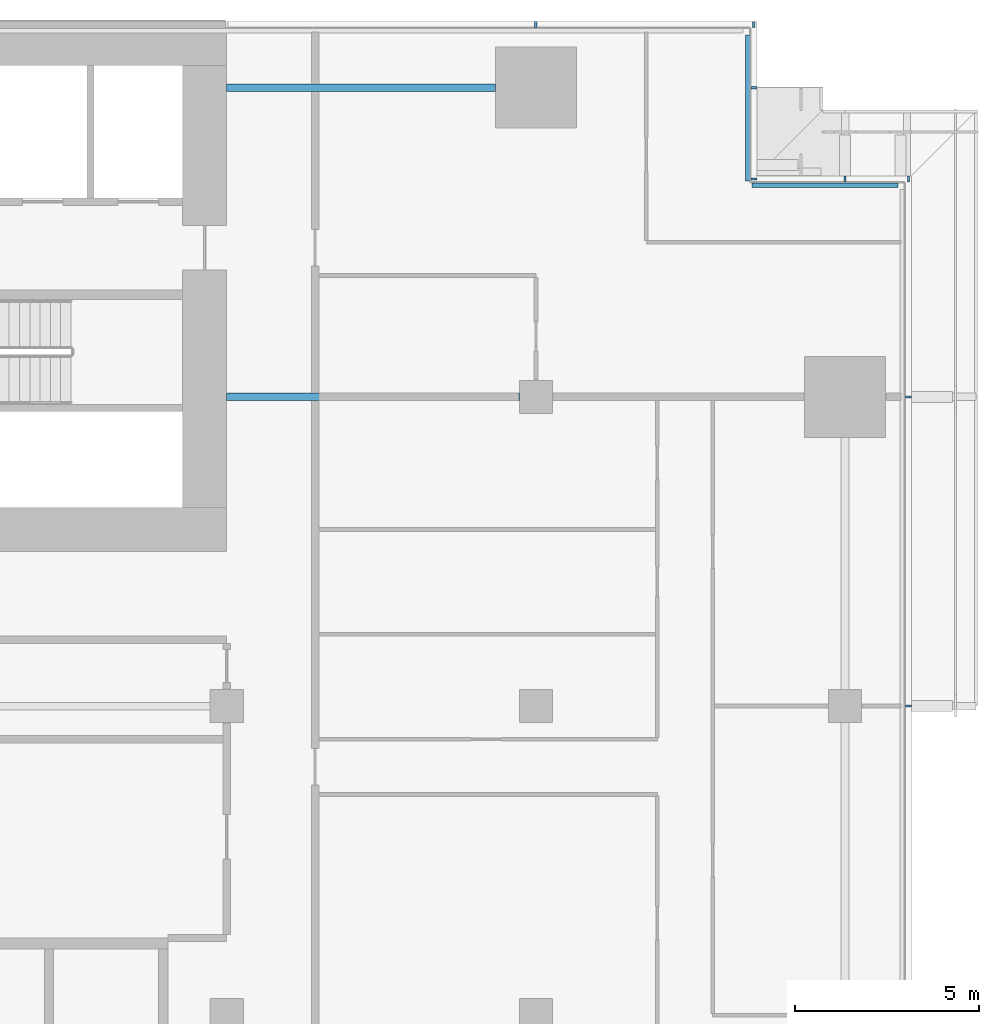
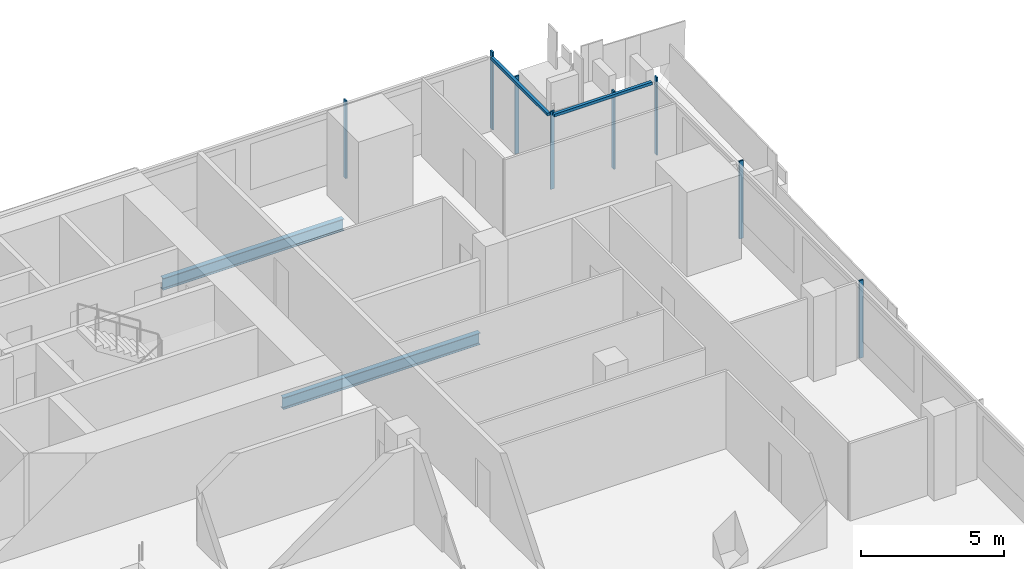
# One storey, part 13 of 27: 10 members, 2 beams, 4 elements without a shape of their own.
"""IFC4 building model written with IfcOpenShell, lengths in metres."""

from ifc_helpers import new_model, si_unit, direction, frame, origin, origin_2d, place, context, subcontext, project, spatial, rectangle, i_section, extrude, material, material_profile, profile_set, type_object, element, aggregate, save


model = new_model("IFC4")

# Units and contexts
model_context = context("Model", 3, precision=1e-05, world=origin(), true_north=direction((0.0, 1.0)))
body_context = subcontext(model_context, "Body", "Model", "MODEL_VIEW")
ifc_project = project(units=[si_unit("LENGTHUNIT", "METRE"), si_unit("AREAUNIT", "SQUARE_METRE"), si_unit("VOLUMEUNIT", "CUBIC_METRE"), si_unit("PLANEANGLEUNIT", "RADIAN"), si_unit("MASSUNIT", "GRAM", prefix="KILO")], contexts=[model_context])

# Site, building, storey
site_placement = place(None, origin())
site = spatial("IfcSite", under=ifc_project, at=site_placement, CompositionType="ELEMENT")
building_placement = place(site_placement, origin())
building = spatial("IfcBuilding", under=site, at=building_placement, Name="Saffron Gate Tower", CompositionType="ELEMENT")
storey_placement = place(building_placement, frame((0.0, 0.0, 76.800048828125)))
storey = spatial("IfcBuildingStorey", under=building, at=storey_placement, Name="L18", CompositionType="ELEMENT", Elevation=76.800048828125)

# Beams
ifc_material_1 = material(Name="Structural steel S355", Category="steel")
ifc_material_profile_1 = material_profile(ifc_material_1, i_section(OverallWidth=0.199951171875, OverallDepth=0.5, WebThickness=0.01025390625, FlangeThickness=0.01611328125, FilletRadius=0.02099609375, at=origin_2d()))
ifc_profile_set_1 = profile_set([ifc_material_profile_1], Name="Structural steel S355")
beam_type = type_object("IfcBeamType", Name="B10 IPE 500", PredefinedType="BEAM", material=ifc_profile_set_1)
beam_1_placement = place(storey_placement, frame((116.550048828125, 65.39990234375, -0.530029296875), z_axis=(-1.0, 0.0, 0.0), x_axis=(0.0, -1.0, 0.0)))
element("IfcBeam", 1, at=beam_1_placement, inside=storey, type_object=beam_type, Name="B10 CORE TIE BEAM", PredefinedType="BEAM", context=body_context, shape_type="SweptSolid", body=[
    extrude(i_section(OverallWidth=0.199951171875, OverallDepth=0.5, WebThickness=0.01025390625, FlangeThickness=0.01611328125, FilletRadius=0.02099609375, at=origin_2d()), origin(), (0.0, 0.0, 1.0), 7.949951171875),
])
beam_2_placement = place(storey_placement, frame((115.89990234375, 73.800048828125, -0.530029296875), z_axis=(-1.0, 0.0, 0.0), x_axis=(0.0, -1.0, 0.0)))
element("IfcBeam", 2, at=beam_2_placement, inside=storey, type_object=beam_type, Name="B10 CORE TIE BEAM", PredefinedType="BEAM", context=body_context, shape_type="SweptSolid", body=[
    extrude(i_section(OverallWidth=0.199951171875, OverallDepth=0.5, WebThickness=0.01025390625, FlangeThickness=0.01611328125, FilletRadius=0.02099609375, at=origin_2d()), origin(), (0.0, 0.0, 1.0), 7.2998046875),
])

# Curtain wall, members
ifc_material_2 = material(Name="Aluminium, bronze anodised", Category="aluminium")
curtain_wall_type_1 = type_object("IfcCurtainWallType", Name="CWS2 curtain wall side facades", PredefinedType="NOTDEFINED", material=ifc_material_2)
curtain_wall_1_placement = place(storey_placement, origin())
curtain_wall_1 = element("IfcCurtainWall", 3, at=curtain_wall_1_placement, inside=storey, type_object=curtain_wall_type_1, Name="CWS2 run 4", PredefinedType="NOTDEFINED")
ifc_material_profile_2 = material_profile(ifc_material_2, rectangle(XDim=0.159912109375, YDim=0.06005859375, at=origin_2d()))
ifc_profile_set_2 = profile_set([ifc_material_profile_2], Name="Aluminium, bronze anodised")
member_type_1 = type_object("IfcMemberType", Name="CWS2 mullion 60x160", PredefinedType="MULLION", material=ifc_profile_set_2)
member_1_placement = place(storey_placement, frame((127.1201171875, 57.0, 0.0), z_axis=(0.0, 0.0, 1.0), x_axis=(-1.0, 0.0, 0.0)))
member_1 = element("IfcMember", 4, at=member_1_placement, type_object=member_type_1, Name="CWS2 mullion 4", PredefinedType="MULLION", context=body_context, shape_type="SweptSolid", body=[
    extrude(rectangle(XDim=0.159912109375, YDim=0.06005859375, at=origin_2d()), origin(), (0.0, 0.0, 1.0), 3.320068359375),
])
member_2_placement = place(storey_placement, frame((127.1201171875, 65.39990234375, 0.0), z_axis=(0.0, 0.0, 1.0), x_axis=(-1.0, 0.0, 0.0)))
member_2 = element("IfcMember", 5, at=member_2_placement, type_object=member_type_1, Name="CWS2 mullion 5", PredefinedType="MULLION", context=body_context, shape_type="SweptSolid", body=[
    extrude(rectangle(XDim=0.159912109375, YDim=0.06005859375, at=origin_2d()), origin(), (0.0, 0.0, 1.0), 3.320068359375),
])
aggregate(curtain_wall_1, [member_1, member_2])

curtain_wall_type_2 = type_object("IfcCurtainWallType", Name="CWS3 curtain wall rear facade", PredefinedType="NOTDEFINED", material=ifc_material_2)
curtain_wall_2_placement = place(storey_placement, origin())
curtain_wall_2 = element("IfcCurtainWall", 6, at=curtain_wall_2_placement, inside=storey, type_object=curtain_wall_type_2, Name="CWS3 run 7", PredefinedType="NOTDEFINED")
ifc_material_profile_3 = material_profile(ifc_material_2, rectangle(XDim=0.159912109375, YDim=0.070068359375, at=origin_2d()))
ifc_profile_set_3 = profile_set([ifc_material_profile_3], Name="Aluminium, bronze anodised")
member_type_2 = type_object("IfcMemberType", Name="CWS3 mullion 70x160", PredefinedType="MULLION", material=ifc_profile_set_3)
member_3_placement = place(storey_placement, frame((122.919921875, 75.52001953125, 0.0), z_axis=(0.0, 0.0, 1.0), x_axis=(0.0, -1.0, 0.0)))
member_3 = element("IfcMember", 7, at=member_3_placement, type_object=member_type_2, Name="CWS3 mullion 1", PredefinedType="MULLION", context=body_context, shape_type="SweptSolid", body=[
    extrude(rectangle(XDim=0.159912109375, YDim=0.070068359375, at=origin_2d()), origin(), (0.0, 0.0, 1.0), 3.320068359375),
])
member_4_placement = place(storey_placement, frame((117.0, 75.52001953125, 0.0), z_axis=(0.0, 0.0, 1.0), x_axis=(0.0, -1.0, 0.0)))
member_4 = element("IfcMember", 8, at=member_4_placement, type_object=member_type_2, Name="CWS3 mullion 2", PredefinedType="MULLION", context=body_context, shape_type="SweptSolid", body=[
    extrude(rectangle(XDim=0.159912109375, YDim=0.070068359375, at=origin_2d()), origin(), (0.0, 0.0, 1.0), 3.320068359375),
])
aggregate(curtain_wall_2, [member_3, member_4])

# Curtain wall, member
curtain_wall_type_3 = type_object("IfcCurtainWallType", Name="CWS4 curtain wall corner returns", PredefinedType="NOTDEFINED", material=ifc_material_2)
curtain_wall_3_placement = place(storey_placement, origin())
curtain_wall_3 = element("IfcCurtainWall", 9, at=curtain_wall_3_placement, inside=storey, type_object=curtain_wall_type_3, Name="CWS4 run 5", PredefinedType="NOTDEFINED")
ifc_material_profile_4 = material_profile(ifc_material_2, rectangle(XDim=0.1201171875, YDim=0.1201171875, at=origin_2d()))
ifc_profile_set_4 = profile_set([ifc_material_profile_4], Name="Aluminium, bronze anodised")
member_type_3 = type_object("IfcMemberType", Name="CWS4 head transom", PredefinedType="USERDEFINED", material=ifc_profile_set_4)
member_5_placement = place(storey_placement, frame((126.83203125, 71.152099609375, 3.260009765625), z_axis=(-1.0, 0.0, 0.0), x_axis=(0.0, -1.0, 0.0)))
member_5 = element("IfcMember", 10, at=member_5_placement, type_object=member_type_3, Name="CWS4 head transom", ObjectType="TRANSOM", PredefinedType="USERDEFINED", context=body_context, shape_type="SweptSolid", body=[
    extrude(rectangle(XDim=0.1201171875, YDim=0.1201171875, at=origin_2d()), origin(), (0.0, 0.0, 1.0), 3.9599609375),
])

curtain_wall_4_placement = place(storey_placement, origin())
curtain_wall_4 = element("IfcCurtainWall", 11, at=curtain_wall_4_placement, inside=storey, type_object=curtain_wall_type_3, Name="CWS4 run 6", PredefinedType="NOTDEFINED")
member_6_placement = place(storey_placement, frame((122.751953125, 71.27197265625, 3.260009765625), z_axis=(0.0, 1.0, 0.0), x_axis=(-1.0, 0.0, 0.0)))
member_6 = element("IfcMember", 12, at=member_6_placement, type_object=member_type_3, Name="CWS4 head transom", ObjectType="TRANSOM", PredefinedType="USERDEFINED", context=body_context, shape_type="SweptSolid", body=[
    extrude(rectangle(XDim=0.1201171875, YDim=0.1201171875, at=origin_2d()), origin(), (0.0, 0.0, 1.0), 3.9599609375),
])

# Member
ifc_material_profile_5 = material_profile(ifc_material_2, rectangle(XDim=0.159912109375, YDim=0.06005859375, at=origin_2d()))
ifc_profile_set_5 = profile_set([ifc_material_profile_5], Name="Aluminium, bronze anodised")
member_type_4 = type_object("IfcMemberType", Name="CWS4 mullion 60x160", PredefinedType="MULLION", material=ifc_profile_set_5)
member_7_placement = place(storey_placement, frame((127.1201171875, 71.320068359375, 0.0), z_axis=(0.0, 0.0, 1.0), x_axis=(0.0, -1.0, 0.0)))
member_7 = element("IfcMember", 13, at=member_7_placement, type_object=member_type_4, Name="CWS4 mullion 1", PredefinedType="MULLION", context=body_context, shape_type="SweptSolid", body=[
    extrude(rectangle(XDim=0.159912109375, YDim=0.06005859375, at=origin_2d()), origin(), (0.0, 0.0, 1.0), 3.320068359375),
])

member_8_placement = place(storey_placement, frame((125.39990234375, 71.320068359375, 0.0), z_axis=(0.0, 0.0, 1.0), x_axis=(0.0, -1.0, 0.0)))
member_8 = element("IfcMember", 14, at=member_8_placement, type_object=member_type_4, Name="CWS4 mullion 2", PredefinedType="MULLION", context=body_context, shape_type="SweptSolid", body=[
    extrude(rectangle(XDim=0.159912109375, YDim=0.06005859375, at=origin_2d()), origin(), (0.0, 0.0, 1.0), 3.320068359375),
])

aggregate(curtain_wall_3, [member_7, member_8, member_5])

member_9_placement = place(storey_placement, frame((122.919921875, 71.320068359375, 0.0), z_axis=(0.0, 0.0, 1.0), x_axis=(-1.0, 0.0, 0.0)))
member_9 = element("IfcMember", 15, at=member_9_placement, type_object=member_type_4, Name="CWS4 mullion 1", PredefinedType="MULLION", context=body_context, shape_type="SweptSolid", body=[
    extrude(rectangle(XDim=0.159912109375, YDim=0.06005859375, at=origin_2d()), origin(), (0.0, 0.0, 1.0), 3.320068359375),
])

member_10_placement = place(storey_placement, frame((122.919921875, 73.800048828125, 0.0), z_axis=(0.0, 0.0, 1.0), x_axis=(-1.0, 0.0, 0.0)))
member_10 = element("IfcMember", 16, at=member_10_placement, type_object=member_type_4, Name="CWS4 mullion 2", PredefinedType="MULLION", context=body_context, shape_type="SweptSolid", body=[
    extrude(rectangle(XDim=0.159912109375, YDim=0.06005859375, at=origin_2d()), origin(), (0.0, 0.0, 1.0), 3.320068359375),
])

aggregate(curtain_wall_4, [member_9, member_10, member_6])

save(model, "model.ifc")
